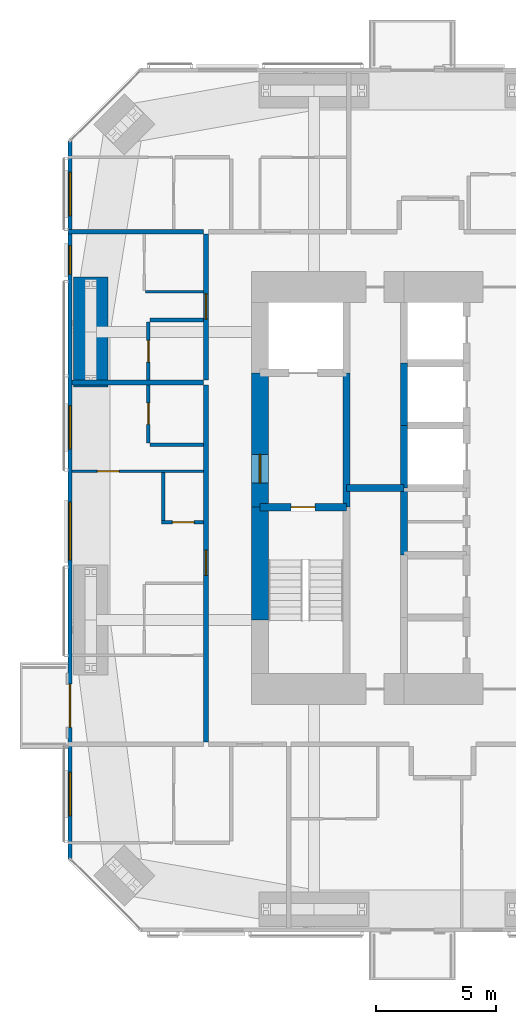
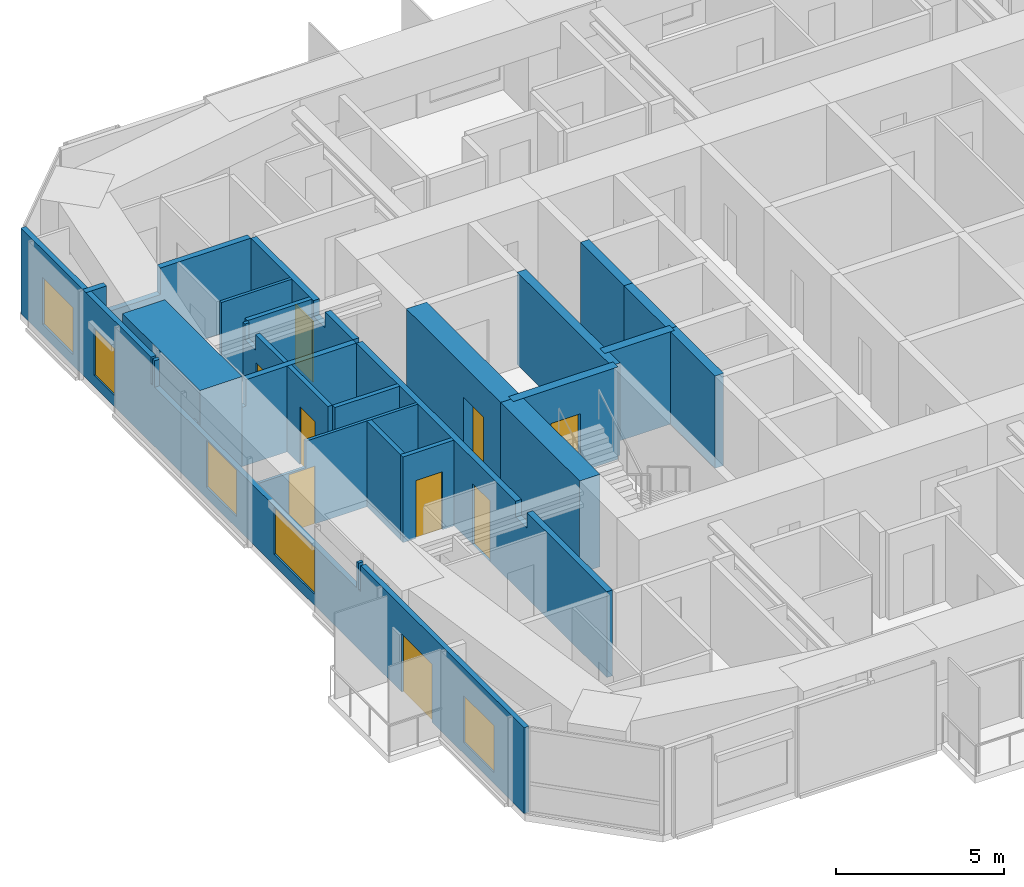
# One storey, part 17 of 23: 22 walls, 9 doors, 5 windows, 14 openings.
"""IFC4 building model written with IfcOpenShell, lengths in metres."""

from ifc_helpers import new_model, si_unit, direction, frame, frame_2d, origin, place, context, subcontext, project, spatial, polyline, rectangle, outline, extrude, material, layer, layer_set, constituent, constituent_set, type_object, element, fill, save


model = new_model("IFC4")

# Units and contexts
model_context = context("Model", 3, precision=1e-05, world=origin(), true_north=direction((0.0, 1.0)))
body_context = subcontext(model_context, "Body", "Model", "MODEL_VIEW")
ifc_project = project(units=[si_unit("LENGTHUNIT", "METRE"), si_unit("AREAUNIT", "SQUARE_METRE"), si_unit("VOLUMEUNIT", "CUBIC_METRE"), si_unit("PLANEANGLEUNIT", "RADIAN"), si_unit("MASSUNIT", "GRAM", prefix="KILO")], contexts=[model_context])

# Site, building, storey
site_placement = place(None, origin())
site = spatial("IfcSite", under=ifc_project, at=site_placement, CompositionType="ELEMENT")
building_placement = place(site_placement, origin())
building = spatial("IfcBuilding", under=site, at=building_placement, Name="Jalousie Tower", CompositionType="ELEMENT")
storey_placement = place(building_placement, frame((0.0, 0.0, 164.39990234375)))
storey = spatial("IfcBuildingStorey", under=building, at=storey_placement, Name="L44", CompositionType="ELEMENT", Elevation=164.39990234375)

# Wall, opening, door
ifc_material_1 = material(Name="Concrete block ASTM C90", Category="concrete")
ifc_constituent_1 = constituent(ifc_material_1, Name="Body")
ifc_material_2 = material(Name="Render")
ifc_constituent_2 = constituent(ifc_material_2, Name="Finish")
ifc_constituent_set_1 = constituent_set(constituents=[ifc_constituent_1, ifc_constituent_2])
wall_type_1 = type_object("IfcWallType", Name="BATHROOM WALL 150", PredefinedType="PLUMBINGWALL", material=ifc_constituent_set_1)
wall_1_placement = place(storey_placement, frame((15.35009765625, 20.375, 0.0), z_axis=(0.0, 0.0, 1.0), x_axis=(0.0, 1.0, 0.0)))
wall_1 = element("IfcWall", 1, at=wall_1_placement, inside=storey, type_object=wall_type_1, Name="Bathroom Wall 150 L44", PredefinedType="PLUMBINGWALL", context=body_context, shape_type="SweptSolid", body=[
    extrude(rectangle(XDim=2.425048828125, YDim=0.14990234375, at=frame_2d((1.21240234375, 0.0))), origin(), (0.0, 0.0, 1.0), 3.110107421875),
])
opening_1_placement = place(wall_1_placement, frame((0.77490234375, 0.0, 0.0)))
opening_1 = element("IfcOpeningElement", 2, at=opening_1_placement, cuts=wall_1, Name="Opening D3", PredefinedType="OPENING", context=body_context, shape_type="SweptSolid", body=[
    extrude(rectangle(XDim=0.89990234375, YDim=2.10009765625, at=frame_2d((0.449951171875, 1.050048828125))), frame((0.0, 0.0849609375, 0.0), z_axis=(0.0, -1.0, 0.0), x_axis=(1.0, 0.0, 0.0)), (0.0, 0.0, 1.0), 0.169921875),
])
ifc_material_3 = material(Name="Timber door", Category="wood")
door_type_1 = type_object("IfcDoorType", Name="BATHROOM DOOR 900", OperationType="SINGLE_SWING_LEFT", PredefinedType="DOOR", material=ifc_material_3)
door_1_placement = place(opening_1_placement, frame((0.89990234375, 0.0, 0.0), z_axis=(0.0, 0.0, 1.0), x_axis=(-1.0, 0.0, 0.0)))
door_1 = element("IfcDoor", 3, at=door_1_placement, inside=storey, type_object=door_type_1, Name="Apartment 4408 bathroom door", OperationType="SINGLE_SWING_LEFT", OverallHeight=2.10009765625, OverallWidth=0.89990234375, PredefinedType="DOOR", context=body_context, shape_type="SweptSolid", body=[
    extrude(rectangle(XDim=0.89990234375, YDim=2.10009765625, at=frame_2d((0.449951171875, 1.050048828125))), frame((0.0, 0.02490234375, 0.0), z_axis=(0.0, -1.0, 0.0), x_axis=(1.0, 0.0, 0.0)), (0.0, 0.0, 1.0), 0.050048828125),
])
fill(opening_1, door_1)

# Wall
wall_2_placement = place(storey_placement, frame((15.425048828125, 20.300048828125, 0.0), z_axis=(0.0, 0.0, 1.0), x_axis=(1.0, 0.0, 0.0)))
element("IfcWall", 4, at=wall_2_placement, inside=storey, type_object=wall_type_1, Name="Bathroom Wall 150 L44", PredefinedType="PLUMBINGWALL", context=body_context, shape_type="SweptSolid", body=[
    extrude(rectangle(XDim=2.224853515625, YDim=0.14990234375, at=frame_2d((1.1123046875, 0.0))), origin(), (0.0, 0.0, 1.0), 3.110107421875),
])

# Wall, opening, door
wall_3_placement = place(storey_placement, frame((15.35009765625, 23.0, 0.0), z_axis=(0.0, 0.0, 1.0), x_axis=(0.0, 1.0, 0.0)))
wall_3 = element("IfcWall", 5, at=wall_3_placement, inside=storey, type_object=wall_type_1, Name="Bathroom Wall 150 L44", PredefinedType="PLUMBINGWALL", context=body_context, shape_type="SweptSolid", body=[
    extrude(outline(polyline([(0.0, 0.0), (2.425048828125, 0.0), (2.425048828125, 3.110107421875), (2.3125, 3.110107421875), (2.3125, 2.541015625), (1.6875, 2.541015625), (1.6875, 3.110107421875), (0.0, 3.110107421875), (0.0, 0.0)])), frame((0.0, 0.074951171875, 0.0), z_axis=(0.0, -1.0, 0.0), x_axis=(1.0, 0.0, 0.0)), (0.0, 0.0, 1.0), 0.14990234375),
])
opening_2_placement = place(wall_3_placement, frame((0.75, 0.0, 0.0)))
opening_2 = element("IfcOpeningElement", 6, at=opening_2_placement, cuts=wall_3, Name="Opening D3", PredefinedType="OPENING", context=body_context, shape_type="SweptSolid", body=[
    extrude(rectangle(XDim=0.89990234375, YDim=2.10009765625, at=frame_2d((0.449951171875, 1.050048828125))), frame((0.0, 0.0849609375, 0.0), z_axis=(0.0, -1.0, 0.0), x_axis=(1.0, 0.0, 0.0)), (0.0, 0.0, 1.0), 0.169921875),
])
door_2_placement = place(opening_2_placement, frame((0.89990234375, 0.0, 0.0), z_axis=(0.0, 0.0, 1.0), x_axis=(-1.0, 0.0, 0.0)))
door_2 = element("IfcDoor", 7, at=door_2_placement, inside=storey, type_object=door_type_1, Name="Apartment 4409 bathroom door", OperationType="SINGLE_SWING_RIGHT", OverallHeight=2.10009765625, OverallWidth=0.89990234375, PredefinedType="DOOR", context=body_context, shape_type="SweptSolid", body=[
    extrude(rectangle(XDim=0.89990234375, YDim=2.10009765625, at=frame_2d((0.449951171875, 1.050048828125))), frame((0.0, 0.02490234375, 0.0), z_axis=(0.0, -1.0, 0.0), x_axis=(1.0, 0.0, 0.0)), (0.0, 0.0, 1.0), 0.050048828125),
])
fill(opening_2, door_2)

# Wall
wall_4_placement = place(storey_placement, frame((15.425048828125, 25.5, 0.0), z_axis=(0.0, 0.0, 1.0), x_axis=(1.0, 0.0, 0.0)))
element("IfcWall", 8, at=wall_4_placement, inside=storey, type_object=wall_type_1, Name="Bathroom Wall 150 L44", PredefinedType="PLUMBINGWALL", context=body_context, shape_type="SweptSolid", body=[
    extrude(rectangle(XDim=2.224853515625, YDim=0.14990234375, at=frame_2d((1.1123046875, 0.0))), origin(), (0.0, 0.0, 1.0), 3.110107421875),
])

# Wall, opening, door
wall_5_placement = place(storey_placement, frame((17.64990234375, 17.074951171875, 0.0), z_axis=(0.0, 0.0, 1.0), x_axis=(-1.0, 0.0, 0.0)))
wall_5 = element("IfcWall", 9, at=wall_5_placement, inside=storey, type_object=wall_type_1, Name="Bathroom Wall 150 L44", PredefinedType="PLUMBINGWALL", context=body_context, shape_type="SweptSolid", body=[
    extrude(rectangle(XDim=1.75, YDim=0.14990234375, at=frame_2d((0.875, 0.0))), origin(), (0.0, 0.0, 1.0), 3.110107421875),
])
opening_3_placement = place(wall_5_placement, frame((0.39990234375, 0.0, 0.0)))
opening_3 = element("IfcOpeningElement", 10, at=opening_3_placement, cuts=wall_5, Name="Opening D7", PredefinedType="OPENING", context=body_context, shape_type="SweptSolid", body=[
    extrude(rectangle(XDim=0.89990234375, YDim=2.10009765625, at=frame_2d((0.449951171875, 1.050048828125))), frame((0.0, 0.0849609375, 0.0), z_axis=(0.0, -1.0, 0.0), x_axis=(1.0, 0.0, 0.0)), (0.0, 0.0, 1.0), 0.169921875),
])
ifc_material_4 = material(Name="Timber door", Category="wood")
door_type_2 = type_object("IfcDoorType", Name="INTERNAL DOOR 900", OperationType="SINGLE_SWING_LEFT", PredefinedType="DOOR", material=ifc_material_4)
door_3_placement = place(opening_3_placement, frame((0.89990234375, 0.0, 0.0), z_axis=(0.0, 0.0, 1.0), x_axis=(-1.0, 0.0, 0.0)))
door_3 = element("IfcDoor", 11, at=door_3_placement, inside=storey, type_object=door_type_2, Name="Apartment 4408 guest WC door", OperationType="SINGLE_SWING_LEFT", OverallHeight=2.10009765625, OverallWidth=0.89990234375, PredefinedType="DOOR", context=body_context, shape_type="SweptSolid", body=[
    extrude(rectangle(XDim=0.89990234375, YDim=2.10009765625, at=frame_2d((0.449951171875, 1.050048828125))), frame((0.0, 0.02490234375, 0.0), z_axis=(0.0, -1.0, 0.0), x_axis=(1.0, 0.0, 0.0)), (0.0, 0.0, 1.0), 0.050048828125),
])
fill(opening_3, door_3)

# Walls
wall_6_placement = place(storey_placement, frame((15.97509765625, 19.14990234375, 0.0), z_axis=(0.0, 0.0, 1.0), x_axis=(0.0, -1.0, 0.0)))
element("IfcWall", 12, at=wall_6_placement, inside=storey, type_object=wall_type_1, Name="Bathroom Wall 150 L44", PredefinedType="PLUMBINGWALL", context=body_context, shape_type="SweptSolid", body=[
    extrude(rectangle(XDim=2.0, YDim=0.14990234375, at=frame_2d((1.0, 0.0))), origin(), (0.0, 0.0, 1.0), 3.110107421875),
])
ifc_material_5 = material(Name="Concrete f'c 120 MPa", Category="concrete")
ifc_layer_1 = layer(ifc_material_5, 0.300048828125)
ifc_layer_set_1 = layer_set([ifc_layer_1], Name="Concrete f'c 120 MPa")
wall_type_2 = type_object("IfcWallType", Name="CORE WALL 300", PredefinedType="SHEAR", material=ifc_layer_set_1)
wall_7_placement = place(storey_placement, frame((23.60009765625, 17.699951171875, 0.0), z_axis=(0.0, 0.0, 1.0), x_axis=(0.0, 1.0, 0.0)))
element("IfcWall", 13, at=wall_7_placement, inside=storey, type_object=wall_type_2, Name="Core wall X23.6B L44", PredefinedType="SHEAR", context=body_context, shape_type="SweptSolid", body=[
    extrude(rectangle(XDim=5.60009765625, YDim=0.300048828125, at=frame_2d((2.800048828125, 0.0))), origin(), (0.0, 0.0, 1.0), 3.35009765625),
])
wall_8_placement = place(storey_placement, frame((26.0, 15.699951171875, 0.0), z_axis=(0.0, 0.0, 1.0), x_axis=(0.0, 1.0, 0.0)))
element("IfcWall", 14, at=wall_8_placement, inside=storey, type_object=wall_type_2, Name="Core wall X26C L44", PredefinedType="SHEAR", context=body_context, shape_type="SweptSolid", body=[
    extrude(rectangle(XDim=2.800048828125, YDim=0.300048828125, at=frame_2d((1.39990234375, 0.0))), origin(), (0.0, 0.0, 1.0), 3.35009765625),
])
wall_9_placement = place(storey_placement, frame((26.0, 18.5, 0.0), z_axis=(0.0, 0.0, 1.0), x_axis=(0.0, 1.0, 0.0)))
element("IfcWall", 15, at=wall_9_placement, inside=storey, type_object=wall_type_2, Name="Core wall X26D L44", PredefinedType="SHEAR", context=body_context, shape_type="SweptSolid", body=[
    extrude(rectangle(XDim=2.60009765625, YDim=0.300048828125, at=frame_2d((1.300048828125, 0.0))), origin(), (0.0, 0.0, 1.0), 3.35009765625),
])
wall_10_placement = place(storey_placement, frame((26.0, 21.10009765625, 0.0), z_axis=(0.0, 0.0, 1.0), x_axis=(0.0, 1.0, 0.0)))
element("IfcWall", 16, at=wall_10_placement, inside=storey, type_object=wall_type_2, Name="Core wall X26E L44", PredefinedType="SHEAR", context=body_context, shape_type="SweptSolid", body=[
    extrude(rectangle(XDim=2.599853515625, YDim=0.300048828125, at=frame_2d((1.2998046875, 0.0))), origin(), (0.0, 0.0, 1.0), 3.35009765625),
])

# Wall, opening, door
wall_11_placement = place(storey_placement, frame((20.0, 17.699951171875, 0.0), z_axis=(0.0, 0.0, 1.0), x_axis=(1.0, 0.0, 0.0)))
wall_11 = element("IfcWall", 17, at=wall_11_placement, inside=storey, type_object=wall_type_2, Name="Core wall Y20-17.7 L44", PredefinedType="SHEAR", context=body_context, shape_type="SweptSolid", body=[
    extrude(rectangle(XDim=3.60009765625, YDim=0.300048828125, at=frame_2d((1.800048828125, 0.0))), origin(), (0.0, 0.0, 1.0), 3.35009765625),
])
opening_4_placement = place(wall_11_placement, frame((1.300048828125, 0.0, 0.0)))
opening_4 = element("IfcOpeningElement", 18, at=opening_4_placement, cuts=wall_11, Name="Opening D10", PredefinedType="OPENING", context=body_context, shape_type="SweptSolid", body=[
    extrude(rectangle(XDim=1.0, YDim=2.10009765625, at=frame_2d((0.5, 1.050048828125))), frame((0.0, 0.159912109375, 0.0), z_axis=(0.0, -1.0, 0.0), x_axis=(1.0, 0.0, 0.0)), (0.0, 0.0, 1.0), 0.320068359375),
])
ifc_material_6 = material(Name="Steel fire door", Category="steel")
door_type_3 = type_object("IfcDoorType", Name="STAIR DOOR 1000", OperationType="SINGLE_SWING_LEFT", PredefinedType="DOOR", material=ifc_material_6)
door_4_placement = place(opening_4_placement, frame((1.0, 0.0, 0.0), z_axis=(0.0, 0.0, 1.0), x_axis=(-1.0, 0.0, 0.0)))
door_4 = element("IfcDoor", 19, at=door_4_placement, inside=storey, type_object=door_type_3, Name="Exit stair A door", OperationType="SINGLE_SWING_RIGHT", OverallHeight=2.10009765625, OverallWidth=1.0, PredefinedType="DOOR", context=body_context, shape_type="SweptSolid", body=[
    extrude(rectangle(XDim=1.0, YDim=2.10009765625, at=frame_2d((0.5, 1.050048828125))), frame((0.0, 0.02490234375, 0.0), z_axis=(0.0, -1.0, 0.0), x_axis=(1.0, 0.0, 0.0)), (0.0, 0.0, 1.0), 0.050048828125),
])
fill(opening_4, door_4)

# Wall
wall_12_placement = place(storey_placement, frame((23.60009765625, 18.5, 0.0), z_axis=(0.0, 0.0, 1.0), x_axis=(1.0, 0.0, 0.0)))
element("IfcWall", 20, at=wall_12_placement, inside=storey, type_object=wall_type_2, Name="Core wall Y23.6-18.5 L44", PredefinedType="SHEAR", context=body_context, shape_type="SweptSolid", body=[
    extrude(rectangle(XDim=2.39990234375, YDim=0.300048828125, at=frame_2d((1.199951171875, 0.0))), origin(), (0.0, 0.0, 1.0), 3.35009765625),
])

# Wall, opening, door
ifc_material_7 = material(Name="Concrete f'c 120 MPa", Category="concrete")
ifc_layer_2 = layer(ifc_material_7, 0.699951171875)
ifc_layer_set_2 = layer_set([ifc_layer_2], Name="Concrete f'c 120 MPa")
wall_type_3 = type_object("IfcWallType", Name="CORE WALL 700", PredefinedType="SHEAR", material=ifc_layer_set_2)
wall_13_placement = place(storey_placement, frame((20.0, 23.300048828125, 0.0), z_axis=(0.0, 0.0, 1.0), x_axis=(0.0, -1.0, 0.0)))
wall_13 = element("IfcWall", 21, at=wall_13_placement, inside=storey, type_object=wall_type_3, Name="Core wall WB L44", PredefinedType="SHEAR", context=body_context, shape_type="SweptSolid", body=[
    extrude(rectangle(XDim=5.60009765625, YDim=0.699951171875, at=frame_2d((2.800048828125, 0.0))), origin(), (0.0, 0.0, 1.0), 3.35009765625),
])
opening_5_placement = place(wall_13_placement, frame((3.39990234375, 0.0, 0.0)))
opening_5 = element("IfcOpeningElement", 22, at=opening_5_placement, cuts=wall_13, Name="Opening D11", PredefinedType="OPENING", context=body_context, shape_type="SweptSolid", body=[
    extrude(rectangle(XDim=1.199951171875, YDim=2.199951171875, at=frame_2d((0.60009765625, 1.10009765625))), frame((0.0, 0.35986328125, 0.0), z_axis=(0.0, -1.0, 0.0), x_axis=(1.0, 0.0, 0.0)), (0.0, 0.0, 1.0), 0.719970703125),
])
ifc_material_8 = material(Name="Steel fire door", Category="steel")
door_type_4 = type_object("IfcDoorType", Name="FIRE DOOR 1200", OperationType="SINGLE_SWING_LEFT", PredefinedType="DOOR", material=ifc_material_8)
door_5_placement = place(opening_5_placement, origin())
door_5 = element("IfcDoor", 23, at=door_5_placement, inside=storey, type_object=door_type_4, Name="Fire-fighting lobby A door", OperationType="SINGLE_SWING_RIGHT", OverallHeight=2.199951171875, OverallWidth=1.199951171875, PredefinedType="DOOR", context=body_context, shape_type="SweptSolid", body=[
    extrude(rectangle(XDim=1.199951171875, YDim=2.199951171875, at=frame_2d((0.60009765625, 1.10009765625))), frame((0.0, 0.02490234375, 0.0), z_axis=(0.0, -1.0, 0.0), x_axis=(1.0, 0.0, 0.0)), (0.0, 0.0, 1.0), 0.050048828125),
])
fill(opening_5, door_5)

# Wall
wall_14_placement = place(storey_placement, frame((20.0, 17.699951171875, 0.0), z_axis=(0.0, 0.0, 1.0), x_axis=(0.0, -1.0, 0.0)))
element("IfcWall", 24, at=wall_14_placement, inside=storey, type_object=wall_type_3, Name="Core wall WC L44", PredefinedType="SHEAR", context=body_context, shape_type="SweptSolid", body=[
    extrude(rectangle(XDim=4.699951171875, YDim=0.699951171875, at=frame_2d((2.35009765625, 0.0))), origin(), (0.0, 0.0, 1.0), 3.35009765625),
])

# Wall, opening, door
ifc_material_9 = material(Name="Concrete block ASTM C90", Category="concrete")
ifc_constituent_3 = constituent(ifc_material_9, Name="Body")
ifc_material_10 = material(Name="Render")
ifc_constituent_4 = constituent(ifc_material_10, Name="Finish")
ifc_constituent_set_2 = constituent_set(constituents=[ifc_constituent_3, ifc_constituent_4])
wall_type_4 = type_object("IfcWallType", Name="CORRIDOR WALL 200", PredefinedType="PARTITIONING", material=ifc_constituent_set_2)
wall_15_placement = place(storey_placement, frame((17.75, 7.925048828125, 0.0), z_axis=(0.0, 0.0, 1.0), x_axis=(0.0, 1.0, 0.0)))
wall_15 = element("IfcWall", 25, at=wall_15_placement, inside=storey, type_object=wall_type_4, Name="Corridor Wall 200 L44", PredefinedType="PARTITIONING", context=body_context, shape_type="SweptSolid", body=[
    extrude(outline(polyline([(0.0, 0.0), (14.875, 0.0), (14.875, 3.110107421875), (5.412353515625, 3.110107421875), (5.412353515625, 2.541015625), (4.73779296875, 2.541015625), (4.73779296875, 3.110107421875), (0.0, 3.110107421875), (0.0, 0.0)])), frame((0.0, 0.10009765625, 0.0), z_axis=(0.0, -1.0, 0.0), x_axis=(1.0, 0.0, 0.0)), (0.0, 0.0, 1.0), 0.199951171875),
])
opening_6_placement = place(wall_15_placement, frame((6.9375, 0.0, 0.0)))
opening_6 = element("IfcOpeningElement", 26, at=opening_6_placement, cuts=wall_15, Name="Opening D1", PredefinedType="OPENING", context=body_context, shape_type="SweptSolid", body=[
    extrude(rectangle(XDim=1.050048828125, YDim=2.199951171875, at=frame_2d((0.52490234375, 1.10009765625))), frame((0.0, 0.10986328125, 0.0), z_axis=(0.0, -1.0, 0.0), x_axis=(1.0, 0.0, 0.0)), (0.0, 0.0, 1.0), 0.219970703125),
])
ifc_material_11 = material(Name="Timber fire door", Category="wood")
door_type_5 = type_object("IfcDoorType", Name="APARTMENT ENTRANCE DOOR 1050", OperationType="SINGLE_SWING_LEFT", PredefinedType="DOOR", material=ifc_material_11)
door_6_placement = place(opening_6_placement, origin())
door_6 = element("IfcDoor", 27, at=door_6_placement, inside=storey, type_object=door_type_5, Name="Apartment 4408 entrance", OperationType="SINGLE_SWING_LEFT", OverallHeight=2.199951171875, OverallWidth=1.050048828125, PredefinedType="DOOR", context=body_context, shape_type="SweptSolid", body=[
    extrude(rectangle(XDim=1.050048828125, YDim=2.199951171875, at=frame_2d((0.52490234375, 1.10009765625))), frame((0.0, 0.02490234375, 0.0), z_axis=(0.0, -1.0, 0.0), x_axis=(1.0, 0.0, 0.0)), (0.0, 0.0, 1.0), 0.050048828125),
])
fill(opening_6, door_6)

wall_16_placement = place(storey_placement, frame((17.75, 23.0, 0.0), z_axis=(0.0, 0.0, 1.0), x_axis=(0.0, 1.0, 0.0)))
wall_16 = element("IfcWall", 28, at=wall_16_placement, inside=storey, type_object=wall_type_4, Name="Corridor Wall 200 L44", PredefinedType="PARTITIONING", context=body_context, shape_type="SweptSolid", body=[
    extrude(outline(polyline([(0.0, 0.0), (6.074951171875, 0.0), (6.074951171875, 3.110107421875), (2.33740234375, 3.110107421875), (2.33740234375, 2.541015625), (1.66259765625, 2.541015625), (1.66259765625, 3.110107421875), (0.0, 3.110107421875), (0.0, 0.0)])), frame((0.0, 0.10009765625, 0.0), z_axis=(0.0, -1.0, 0.0), x_axis=(1.0, 0.0, 0.0)), (0.0, 0.0, 1.0), 0.199951171875),
])
opening_7_placement = place(wall_16_placement, frame((2.53759765625, 0.0, 0.0)))
opening_7 = element("IfcOpeningElement", 29, at=opening_7_placement, cuts=wall_16, Name="Opening D1", PredefinedType="OPENING", context=body_context, shape_type="SweptSolid", body=[
    extrude(rectangle(XDim=1.050048828125, YDim=2.199951171875, at=frame_2d((0.52490234375, 1.10009765625))), frame((0.0, 0.10986328125, 0.0), z_axis=(0.0, -1.0, 0.0), x_axis=(1.0, 0.0, 0.0)), (0.0, 0.0, 1.0), 0.219970703125),
])
door_7_placement = place(opening_7_placement, origin())
door_7 = element("IfcDoor", 30, at=door_7_placement, inside=storey, type_object=door_type_5, Name="Apartment 4409 entrance", OperationType="SINGLE_SWING_LEFT", OverallHeight=2.199951171875, OverallWidth=1.050048828125, PredefinedType="DOOR", context=body_context, shape_type="SweptSolid", body=[
    extrude(rectangle(XDim=1.050048828125, YDim=2.199951171875, at=frame_2d((0.52490234375, 1.10009765625))), frame((0.0, 0.02490234375, 0.0), z_axis=(0.0, -1.0, 0.0), x_axis=(1.0, 0.0, 0.0)), (0.0, 0.0, 1.0), 0.050048828125),
])
fill(opening_7, door_7)

# Wall, openings, door, windows
ifc_material_12 = material(Name="Concrete f'c 40 MPa", Category="concrete")
ifc_constituent_5 = constituent(ifc_material_12, Name="Body")
ifc_material_13 = material(Name="Render, pastel lemon")
ifc_constituent_6 = constituent(ifc_material_13, Name="Finish")
ifc_constituent_set_3 = constituent_set(constituents=[ifc_constituent_5, ifc_constituent_6])
wall_type_5 = type_object("IfcWallType", Name="EXTERNAL WALL 175 LEMON RENDER", PredefinedType="SOLIDWALL", material=ifc_constituent_set_3)
wall_17_placement = place(storey_placement, frame((12.08740234375, 32.94873046875, 0.0), z_axis=(0.0, 0.0, 1.0), x_axis=(0.0, -1.0, 0.0)))
wall_17 = element("IfcWall", 31, at=wall_17_placement, inside=storey, type_object=wall_type_5, Name="External Wall 175 Lemon Render L44", PredefinedType="SOLIDWALL", context=body_context, shape_type="SweptSolid", body=[
    extrude(outline(polyline([(0.0, 0.0), (29.8974609375, 0.0), (29.8974609375, 3.110107421875), (20.19140625, 3.110107421875), (20.19140625, 2.150146484375), (20.050537109375, 2.150146484375), (20.050537109375, 3.110107421875), (19.94873046875, 3.110107421875), (19.94873046875, 2.150146484375), (7.94873046875, 2.150146484375), (7.94873046875, 3.110107421875), (7.823486328125, 3.110107421875), (7.823486328125, 2.150146484375), (7.729736328125, 2.150146484375), (7.729736328125, 3.110107421875), (0.0, 3.110107421875), (0.0, 0.0)])), frame((0.0, 0.08740234375, 0.0), z_axis=(0.0, -1.0, 0.0), x_axis=(1.0, 0.0, 0.0)), (0.0, 0.0, 1.0), 0.175048828125),
])
opening_8_placement = place(wall_17_placement, frame((1.296875, 0.0, 0.39990234375)))
opening_8 = element("IfcOpeningElement", 32, at=opening_8_placement, cuts=wall_17, Name="Opening W-BED170", PredefinedType="OPENING", context=body_context, shape_type="SweptSolid", body=[
    extrude(rectangle(XDim=1.800048828125, YDim=1.699951171875, at=frame_2d((0.89990234375, 0.85009765625))), frame((0.0, 0.097412109375, 0.0), z_axis=(0.0, -1.0, 0.0), x_axis=(1.0, 0.0, 0.0)), (0.0, 0.0, 1.0), 0.195068359375),
])
opening_9_placement = place(wall_17_placement, frame((4.3486328125, 0.0, 0.39990234375)))
opening_9 = element("IfcOpeningElement", 33, at=opening_9_placement, cuts=wall_17, Name="Opening W-COR170", PredefinedType="OPENING", context=body_context, shape_type="SweptSolid", body=[
    extrude(rectangle(XDim=1.199951171875, YDim=1.699951171875, at=frame_2d((0.60009765625, 0.85009765625))), frame((0.0, 0.097412109375, 0.0), z_axis=(0.0, -1.0, 0.0), x_axis=(1.0, 0.0, 0.0)), (0.0, 0.0, 1.0), 0.195068359375),
])
opening_10_placement = place(wall_17_placement, frame((11.023681640625, 0.0, 0.39990234375)))
opening_10 = element("IfcOpeningElement", 34, at=opening_10_placement, cuts=wall_17, Name="Opening W-BED170", PredefinedType="OPENING", context=body_context, shape_type="SweptSolid", body=[
    extrude(rectangle(XDim=1.800048828125, YDim=1.699951171875, at=frame_2d((0.89990234375, 0.85009765625))), frame((0.0, 0.097412109375, 0.0), z_axis=(0.0, -1.0, 0.0), x_axis=(1.0, 0.0, 0.0)), (0.0, 0.0, 1.0), 0.195068359375),
])
opening_11_placement = place(wall_17_placement, frame((15.043701171875, 0.0, 0.39990234375)))
opening_11 = element("IfcOpeningElement", 35, at=opening_11_placement, cuts=wall_17, Name="Opening W-LIV170", PredefinedType="OPENING", context=body_context, shape_type="SweptSolid", body=[
    extrude(rectangle(XDim=2.39990234375, YDim=1.699951171875, at=frame_2d((1.199951171875, 0.85009765625))), frame((0.0, 0.097412109375, 0.0), z_axis=(0.0, -1.0, 0.0), x_axis=(1.0, 0.0, 0.0)), (0.0, 0.0, 1.0), 0.195068359375),
])
opening_12_placement = place(wall_17_placement, frame((22.623779296875, 0.0, 0.0)))
opening_12 = element("IfcOpeningElement", 36, at=opening_12_placement, cuts=wall_17, Name="Opening D-BAL21", PredefinedType="OPENING", context=body_context, shape_type="SweptSolid", body=[
    extrude(rectangle(XDim=1.800048828125, YDim=2.10009765625, at=frame_2d((0.89990234375, 1.050048828125))), frame((0.0, 0.097412109375, 0.0), z_axis=(0.0, -1.0, 0.0), x_axis=(1.0, 0.0, 0.0)), (0.0, 0.0, 1.0), 0.195068359375),
])
opening_13_placement = place(wall_17_placement, frame((26.300537109375, 0.0, 0.39990234375)))
opening_13 = element("IfcOpeningElement", 37, at=opening_13_placement, cuts=wall_17, Name="Opening W-BED170", PredefinedType="OPENING", context=body_context, shape_type="SweptSolid", body=[
    extrude(rectangle(XDim=1.800048828125, YDim=1.699951171875, at=frame_2d((0.89990234375, 0.85009765625))), frame((0.0, 0.097412109375, 0.0), z_axis=(0.0, -1.0, 0.0), x_axis=(1.0, 0.0, 0.0)), (0.0, 0.0, 1.0), 0.195068359375),
])
ifc_material_14 = material(Name="Aluminium frame, impact-rated glazing", Category="aluminium")
door_type_6 = type_object("IfcDoorType", Name="BALCONY DOOR 1800x2100", OperationType="SLIDING_TO_LEFT", PredefinedType="DOOR", material=ifc_material_14)
door_8_placement = place(opening_12_placement, origin())
door_8 = element("IfcDoor", 38, at=door_8_placement, inside=storey, type_object=door_type_6, Name="Apartment 4408 bedroom 1 balcony door", OperationType="SLIDING_TO_LEFT", OverallHeight=2.10009765625, OverallWidth=1.800048828125, PredefinedType="DOOR", context=body_context, shape_type="SweptSolid", body=[
    extrude(rectangle(XDim=1.800048828125, YDim=2.10009765625, at=frame_2d((0.89990234375, 1.050048828125))), frame((0.0, 0.02490234375, 0.0), z_axis=(0.0, -1.0, 0.0), x_axis=(1.0, 0.0, 0.0)), (0.0, 0.0, 1.0), 0.050048828125),
])
fill(opening_12, door_8)
ifc_material_15 = material(Name="Aluminium frame, impact-rated glazing", Category="aluminium")
window_type_1 = type_object("IfcWindowType", Name="WINDOW BED 1800x1700", PartitioningType="SINGLE_PANEL", PredefinedType="WINDOW", material=ifc_material_15)
window_1_placement = place(opening_8_placement, origin())
window_1 = element("IfcWindow", 39, at=window_1_placement, inside=storey, type_object=window_type_1, Name="Apartment 4405 bedroom 1 window", OverallHeight=1.699951171875, OverallWidth=1.800048828125, PartitioningType="SINGLE_PANEL", PredefinedType="WINDOW", context=body_context, shape_type="SweptSolid", body=[
    extrude(rectangle(XDim=1.800048828125, YDim=1.699951171875, at=frame_2d((0.89990234375, 0.85009765625))), frame((0.0, 0.030029296875, 0.0), z_axis=(0.0, -1.0, 0.0), x_axis=(1.0, 0.0, 0.0)), (0.0, 0.0, 1.0), 0.06005859375),
])
fill(opening_8, window_1)
window_2_placement = place(opening_10_placement, origin())
window_2 = element("IfcWindow", 40, at=window_2_placement, inside=storey, type_object=window_type_1, Name="Apartment 4408 bedroom 2 window", OverallHeight=1.699951171875, OverallWidth=1.800048828125, PartitioningType="SINGLE_PANEL", PredefinedType="WINDOW", context=body_context, shape_type="SweptSolid", body=[
    extrude(rectangle(XDim=1.800048828125, YDim=1.699951171875, at=frame_2d((0.89990234375, 0.85009765625))), frame((0.0, 0.030029296875, 0.0), z_axis=(0.0, -1.0, 0.0), x_axis=(1.0, 0.0, 0.0)), (0.0, 0.0, 1.0), 0.06005859375),
])
fill(opening_10, window_2)
window_3_placement = place(opening_13_placement, origin())
window_3 = element("IfcWindow", 41, at=window_3_placement, inside=storey, type_object=window_type_1, Name="Apartment 4401 bedroom 1 window", OverallHeight=1.699951171875, OverallWidth=1.800048828125, PartitioningType="SINGLE_PANEL", PredefinedType="WINDOW", context=body_context, shape_type="SweptSolid", body=[
    extrude(rectangle(XDim=1.800048828125, YDim=1.699951171875, at=frame_2d((0.89990234375, 0.85009765625))), frame((0.0, 0.030029296875, 0.0), z_axis=(0.0, -1.0, 0.0), x_axis=(1.0, 0.0, 0.0)), (0.0, 0.0, 1.0), 0.06005859375),
])
fill(opening_13, window_3)
ifc_material_16 = material(Name="Aluminium frame, impact-rated glazing", Category="aluminium")
window_type_2 = type_object("IfcWindowType", Name="WINDOW COR 1200x1700", PartitioningType="SINGLE_PANEL", PredefinedType="WINDOW", material=ifc_material_16)
window_4_placement = place(opening_9_placement, origin())
window_4 = element("IfcWindow", 42, at=window_4_placement, inside=storey, type_object=window_type_2, Name="Apartment 4409 studio living and sleeping room window", OverallHeight=1.699951171875, OverallWidth=1.199951171875, PartitioningType="SINGLE_PANEL", PredefinedType="WINDOW", context=body_context, shape_type="SweptSolid", body=[
    extrude(rectangle(XDim=1.199951171875, YDim=1.699951171875, at=frame_2d((0.60009765625, 0.85009765625))), frame((0.0, 0.030029296875, 0.0), z_axis=(0.0, -1.0, 0.0), x_axis=(1.0, 0.0, 0.0)), (0.0, 0.0, 1.0), 0.06005859375),
])
fill(opening_9, window_4)
ifc_material_17 = material(Name="Aluminium frame, impact-rated glazing", Category="aluminium")
window_type_3 = type_object("IfcWindowType", Name="WINDOW LIV 2400x1700", PartitioningType="DOUBLE_PANEL_VERTICAL", PredefinedType="WINDOW", material=ifc_material_17)
window_5_placement = place(opening_11_placement, origin())
window_5 = element("IfcWindow", 43, at=window_5_placement, inside=storey, type_object=window_type_3, Name="Apartment 4408 living and dining room window", OverallHeight=1.699951171875, OverallWidth=2.39990234375, PartitioningType="SINGLE_PANEL", PredefinedType="WINDOW", context=body_context, shape_type="SweptSolid", body=[
    extrude(rectangle(XDim=2.39990234375, YDim=1.699951171875, at=frame_2d((1.199951171875, 0.85009765625))), frame((0.0, 0.030029296875, 0.0), z_axis=(0.0, -1.0, 0.0), x_axis=(1.0, 0.0, 0.0)), (0.0, 0.0, 1.0), 0.06005859375),
])
fill(opening_11, window_5)

# Wall, opening, door
ifc_material_18 = material(Name="Gypsum board", Category="gypsum")
ifc_constituent_7 = constituent(ifc_material_18, Name="Body")
ifc_material_19 = material(Name="Light-gauge steel studs ASTM A653 SS Grade 33", Category="steel")
ifc_constituent_8 = constituent(ifc_material_19, Name="Framing")
ifc_constituent_set_4 = constituent_set(constituents=[ifc_constituent_7, ifc_constituent_8])
wall_type_6 = type_object("IfcWallType", Name="PARTITION 100", PredefinedType="PARTITIONING", material=ifc_constituent_set_4)
wall_18_placement = place(storey_placement, frame((12.175048828125, 19.199951171875, 0.0), z_axis=(0.0, 0.0, 1.0), x_axis=(1.0, 0.0, 0.0)))
wall_18 = element("IfcWall", 44, at=wall_18_placement, inside=storey, type_object=wall_type_6, Name="Partition 100 L44", PredefinedType="PARTITIONING", context=body_context, shape_type="SweptSolid", body=[
    extrude(outline(polyline([(0.0, 0.0), (5.474853515625, 0.0), (5.47509765625, 3.110107421875), (1.635009765625, 3.110107421875), (1.635009765625, 2.150146484375), (0.0, 2.150146484375), (0.0, 3.110107421875), (0.0, 0.0)])), frame((0.0, 0.050048828125, 0.0), z_axis=(0.0, -1.0, 0.0), x_axis=(1.0, 0.0, 0.0)), (0.0, 0.0, 1.0), 0.10009765625),
])
opening_14_placement = place(wall_18_placement, frame((1.050048828125, 0.0, 0.0)))
opening_14 = element("IfcOpeningElement", 45, at=opening_14_placement, cuts=wall_18, Name="Opening D2", PredefinedType="OPENING", context=body_context, shape_type="SweptSolid", body=[
    extrude(rectangle(XDim=0.89990234375, YDim=2.10009765625, at=frame_2d((0.449951171875, 1.050048828125))), frame((0.0, 0.06005859375, 0.0), z_axis=(0.0, -1.0, 0.0), x_axis=(1.0, 0.0, 0.0)), (0.0, 0.0, 1.0), 0.1201171875),
])
ifc_material_20 = material(Name="Timber door", Category="wood")
door_type_7 = type_object("IfcDoorType", Name="BEDROOM DOOR 900", OperationType="SINGLE_SWING_LEFT", PredefinedType="DOOR", material=ifc_material_20)
door_9_placement = place(opening_14_placement, origin())
door_9 = element("IfcDoor", 46, at=door_9_placement, inside=storey, type_object=door_type_7, Name="Apartment 4408 bedroom 2 door", OperationType="SINGLE_SWING_LEFT", OverallHeight=2.10009765625, OverallWidth=0.89990234375, PredefinedType="DOOR", context=body_context, shape_type="SweptSolid", body=[
    extrude(rectangle(XDim=0.89990234375, YDim=2.10009765625, at=frame_2d((0.449951171875, 1.050048828125))), frame((0.0, 0.02490234375, 0.0), z_axis=(0.0, -1.0, 0.0), x_axis=(1.0, 0.0, 0.0)), (0.0, 0.0, 1.0), 0.050048828125),
])
fill(opening_14, door_9)

# Walls
wall_19_placement = place(storey_placement, frame((15.22509765625, 26.675048828125, 0.0), z_axis=(0.0, 0.0, 1.0), x_axis=(1.0, 0.0, 0.0)))
element("IfcWall", 47, at=wall_19_placement, inside=storey, type_object=wall_type_6, Name="Partition 100 L44", PredefinedType="PARTITIONING", context=body_context, shape_type="SweptSolid", body=[
    extrude(rectangle(XDim=2.4248046875, YDim=0.10009765625, at=frame_2d((1.21240234375, 0.0))), origin(), (0.0, 0.0, 1.0), 3.110107421875),
])
ifc_material_21 = material(Name="Concrete block ASTM C90", Category="concrete")
ifc_constituent_9 = constituent(ifc_material_21, Name="Body")
ifc_material_22 = material(Name="Render")
ifc_constituent_10 = constituent(ifc_material_22, Name="Finish")
ifc_constituent_set_5 = constituent_set(constituents=[ifc_constituent_9, ifc_constituent_10])
wall_type_7 = type_object("IfcWallType", Name="PARTY WALL 200", PredefinedType="PARTITIONING", material=ifc_constituent_set_5)
wall_20_placement = place(storey_placement, frame((12.0, 29.175048828125, 0.0), z_axis=(0.0, 0.0, 1.0), x_axis=(1.0, 0.0, 0.0)))
element("IfcWall", 48, at=wall_20_placement, inside=storey, type_object=wall_type_7, Name="Party Wall 200 L44", PredefinedType="PARTITIONING", context=body_context, shape_type="SweptSolid", body=[
    extrude(outline(polyline([(0.0, 0.0), (5.64990234375, 0.0), (5.64990234375, 3.110107421875), (2.546630859375, 3.110107421875), (2.546630859375, 2.150146484375), (0.703125, 2.150146484375), (0.703125, 3.110107421875), (0.0, 3.110107421875), (0.0, 0.0)])), frame((0.0, 0.10009765625, 0.0), z_axis=(0.0, -1.0, 0.0), x_axis=(1.0, 0.0, 0.0)), (0.0, 0.0, 1.0), 0.199951171875),
])
wall_21_placement = place(storey_placement, frame((12.175048828125, 22.89990234375, 0.0), z_axis=(0.0, 0.0, 1.0), x_axis=(1.0, 0.0, 0.0)))
element("IfcWall", 49, at=wall_21_placement, inside=storey, type_object=wall_type_7, Name="Party Wall 200 L44", PredefinedType="PARTITIONING", context=body_context, shape_type="SweptSolid", body=[
    extrude(outline(polyline([(0.0, 0.0), (5.474853515625, 0.0), (5.47509765625, 3.110107421875), (1.68505859375, 3.110107421875), (1.68505859375, 2.150146484375), (0.0, 2.150146484375), (0.0, 3.110107421875), (0.0, 0.0)])), frame((0.0, 0.10009765625, 0.0), z_axis=(0.0, -1.0, 0.0), x_axis=(1.0, 0.0, 0.0)), (0.0, 0.0, 1.0), 0.199951171875),
])
ifc_material_23 = material(Name="Concrete f'c 120 MPa", Category="concrete")
ifc_layer_3 = layer(ifc_material_23, 1.449951171875)
ifc_layer_set_3 = layer_set([ifc_layer_3], Name="Concrete f'c 120 MPa")
wall_type_8 = type_object("IfcWallType", Name="RC WALL PIER 1450", PredefinedType="SHEAR", material=ifc_layer_set_3)
wall_22_placement = place(storey_placement, frame((12.949951171875, 22.699951171875, 0.0), z_axis=(0.0, 0.0, 1.0), x_axis=(0.0, 1.0, 0.0)))
element("IfcWall", 50, at=wall_22_placement, inside=storey, type_object=wall_type_8, Name="Wall pier 13 L44", PredefinedType="SHEAR", context=body_context, shape_type="SweptSolid", body=[
    extrude(rectangle(XDim=4.60009765625, YDim=1.449951171875, at=frame_2d((2.300048828125, 0.0))), origin(), (0.0, 0.0, 1.0), 3.35009765625),
])

save(model, "model.ifc")
